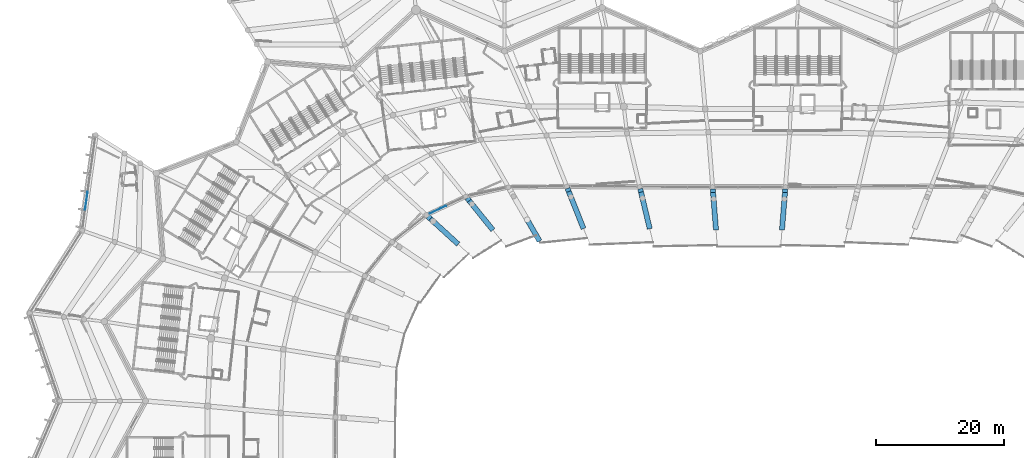
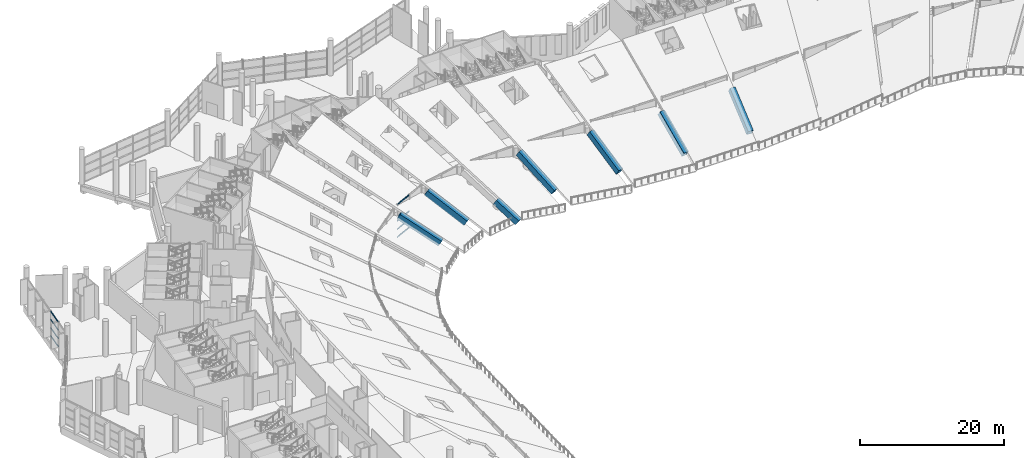
# One storey, part 62 of 249: 8 members, 7 beams, 2 elements without a shape of their own.
"""IFC4 building model written with IfcOpenShell, lengths in metres."""

from ifc_helpers import new_model, si_unit, direction, frame, origin, origin_2d, place, context, subcontext, project, spatial, rectangle, extrude, material, layer, layer_set, material_profile, profile_set, type_object, element, aggregate, save


model = new_model("IFC4")

# Units and contexts
model_context = context("Model", 3, precision=1e-05, world=origin(), true_north=direction((0.0, 1.0)))
body_context = subcontext(model_context, "Body", "Model", "MODEL_VIEW")
ifc_project = project(units=[si_unit("LENGTHUNIT", "METRE"), si_unit("AREAUNIT", "SQUARE_METRE"), si_unit("VOLUMEUNIT", "CUBIC_METRE"), si_unit("PLANEANGLEUNIT", "RADIAN"), si_unit("MASSUNIT", "GRAM", prefix="KILO")], contexts=[model_context])

# Site, building, storey
site_placement = place(None, origin())
site = spatial("IfcSite", under=ifc_project, at=site_placement, CompositionType="ELEMENT")
building_placement = place(site_placement, origin())
building = spatial("IfcBuilding", under=site, at=building_placement, Name="Meseta Stadium", CompositionType="ELEMENT")
storey_placement = place(building_placement, frame((0.0, 0.0, 12.0)))
storey = spatial("IfcBuildingStorey", under=building, at=storey_placement, Name="L02", CompositionType="ELEMENT", Elevation=12.0)

# Curtain wall, members
ifc_material_1 = material(Name="Aluminium", Category="aluminium")
ifc_layer_1 = layer(ifc_material_1, 0.199951171875)
ifc_layer_set_1 = layer_set([ifc_layer_1], Name="Suite glazing curtain wall")
curtain_wall_type_1 = type_object("IfcCurtainWallType", Name="Suite glazing curtain wall", PredefinedType="NOTDEFINED", material=ifc_layer_set_1)
curtain_wall_1_placement = place(storey_placement, origin())
curtain_wall_1 = element("IfcCurtainWall", 1, at=curtain_wall_1_placement, inside=storey, type_object=curtain_wall_type_1, Name="Suite glazing bay 23", PredefinedType="NOTDEFINED")
ifc_material_2 = material(Name="Aluminium", Category="aluminium")
ifc_material_profile_1 = material_profile(ifc_material_2, rectangle(XDim=0.06005859375, YDim=0.14990234375, at=origin_2d()), Name="CW 60x150")
ifc_profile_set_1 = profile_set([ifc_material_profile_1], Name="Aluminium")
member_type_1 = type_object("IfcMemberType", Name="CW transom 60x150", PredefinedType="USERDEFINED", material=ifc_profile_set_1)
member_1_placement = place(storey_placement, frame((-47.496826171875, 74.340087890625, 0.074951171875), z_axis=(-0.904318213738, -0.426858955982, 0.0), x_axis=(0.426858955982, -0.904318213738, 0.0)))
member_1 = element("IfcMember", 2, at=member_1_placement, type_object=member_type_1, Name="CWS transom 2.1", ObjectType="TRANSOM", PredefinedType="USERDEFINED", context=body_context, shape_type="SweptSolid", body=[
    extrude(rectangle(XDim=0.06005859375, YDim=0.14990234375, at=origin_2d()), origin(), (0.0, 0.0, 1.0), 2.822509765625),
])
member_2_placement = place(storey_placement, frame((-47.496826171875, 74.340087890625, 1.41259765625), z_axis=(-0.904318213738, -0.426858955982, 0.0), x_axis=(0.426858955982, -0.904318213738, 0.0)))
member_2 = element("IfcMember", 3, at=member_2_placement, type_object=member_type_1, Name="CWS transom 2.2", ObjectType="TRANSOM", PredefinedType="USERDEFINED", context=body_context, shape_type="SweptSolid", body=[
    extrude(rectangle(XDim=0.06005859375, YDim=0.14990234375, at=origin_2d()), origin(), (0.0, 0.0, 1.0), 2.822509765625),
])
member_3_placement = place(storey_placement, frame((-47.496826171875, 74.340087890625, 2.824951171875), z_axis=(-0.904318213738, -0.426858955982, 0.0), x_axis=(0.426858955982, -0.904318213738, 0.0)))
member_3 = element("IfcMember", 4, at=member_3_placement, type_object=member_type_1, Name="CWS transom 2.3", ObjectType="TRANSOM", PredefinedType="USERDEFINED", context=body_context, shape_type="SweptSolid", body=[
    extrude(rectangle(XDim=0.06005859375, YDim=0.14990234375, at=origin_2d()), origin(), (0.0, 0.0, 1.0), 2.822509765625),
])
member_4_placement = place(storey_placement, frame((-47.496826171875, 74.340087890625, 5.574951171875), z_axis=(-0.904318213738, -0.426858955982, 0.0), x_axis=(0.426858955982, -0.904318213738, 0.0)))
member_4 = element("IfcMember", 5, at=member_4_placement, type_object=member_type_1, Name="CWS transom 2.4", ObjectType="TRANSOM", PredefinedType="USERDEFINED", context=body_context, shape_type="SweptSolid", body=[
    extrude(rectangle(XDim=0.06005859375, YDim=0.14990234375, at=origin_2d()), origin(), (0.0, 0.0, 1.0), 2.822509765625),
])
aggregate(curtain_wall_1, [member_1, member_2, member_3, member_4])

# Beams
ifc_material_3 = material(Name="Concrete C40/50", Category="concrete")
ifc_material_profile_2 = material_profile(ifc_material_3, rectangle(XDim=0.800048828125, YDim=1.0, at=origin_2d()), Name="RC 800x1000")
ifc_profile_set_2 = profile_set([ifc_material_profile_2], Name="Concrete C40/50")
beam_type = type_object("IfcBeamType", Name="RC raker upper front 800x1000", PredefinedType="USERDEFINED", material=ifc_profile_set_2)
for number, where, z_axis, x_axis, name in (
    (6, (5.1923828125, 70.82421875, -0.13330078125), (0.067151942513, 0.846072330089, 0.528821547287), (-0.996865081746, 0.079120217364, 0.0), "Raker upper front frame 18 upper tier"),
    (7, (-5.1923828125, 70.82421875, -0.13330078125), (-0.067151942513, 0.846072330089, 0.528821547287), (-0.996865081746, -0.079120217364, 0.0), "Raker upper front frame 19 upper tier"),
):
    element("IfcBeam", number, at=place(storey_placement, frame(where, z_axis=z_axis, x_axis=x_axis)), inside=storey, type_object=beam_type, Name=name, ObjectType="RAKER", PredefinedType="USERDEFINED", context=body_context, shape_type="SweptSolid", body=[
        extrude(rectangle(XDim=0.800048828125, YDim=1.0, at=origin_2d()), origin(), (0.0, 0.0, 1.0), 6.951416015625),
    ])
beam_1_placement = place(storey_placement, frame((-15.62109375, 71.0087890625, 0.43505859375), z_axis=(-0.196594877841, 0.825607178127, 0.528888685294), x_axis=(-0.972800442507, -0.231644769116, 0.0)))
element("IfcBeam", 8, at=beam_1_placement, inside=storey, type_object=beam_type, Name="Raker upper front frame 20 upper tier", ObjectType="RAKER", PredefinedType="USERDEFINED", context=body_context, shape_type="SweptSolid", body=[
    extrude(rectangle(XDim=0.800048828125, YDim=1.0, at=origin_2d()), origin(), (0.0, 0.0, 1.0), 6.951904296875),
])
beam_2_placement = place(storey_placement, frame((-26.03759765625, 71.014404296875, 0.74462890625), z_axis=(-0.312985842876, 0.788744206684, 0.529076968486), x_axis=(-0.929493898805, -0.368837487363, 0.0)))
element("IfcBeam", 9, at=beam_2_placement, inside=storey, type_object=beam_type, Name="Raker upper front frame 21 upper tier", ObjectType="RAKER", PredefinedType="USERDEFINED", context=body_context, shape_type="SweptSolid", body=[
    extrude(rectangle(XDim=0.800048828125, YDim=1.0, at=origin_2d()), origin(), (0.0, 0.0, 1.0), 7.367431640625),
])
beam_3_placement = place(storey_placement, frame((-32.95751953125, 69.036865234375, -0.78564453125), z_axis=(-0.424691026962, 0.734670627064, 0.529052550647), x_axis=(-0.865755474215, -0.500467240553, 0.0)))
element("IfcBeam", 10, at=beam_3_placement, inside=storey, type_object=beam_type, Name="Raker upper front frame 22 upper tier", ObjectType="RAKER", PredefinedType="USERDEFINED", context=body_context, shape_type="SweptSolid", body=[
    extrude(rectangle(XDim=0.800048828125, YDim=1.0, at=origin_2d()), origin(), (0.0, 0.0, 1.0), 4.245849609375),
])
beam_4_placement = place(storey_placement, frame((-40.307861328125, 70.748291015625, 0.67724609375), z_axis=(-0.532988904175, 0.660432847856, 0.528915193107), x_axis=(-0.778193176557, -0.628024983548, 0.0)))
element("IfcBeam", 11, at=beam_4_placement, inside=storey, type_object=beam_type, Name="Raker upper front frame 23 upper tier", ObjectType="RAKER", PredefinedType="USERDEFINED", context=body_context, shape_type="SweptSolid", body=[
    extrude(rectangle(XDim=0.800048828125, YDim=1.0, at=origin_2d()), origin(), (0.0, 0.0, 1.0), 6.951904296875),
])
beam_5_placement = place(storey_placement, frame((-45.777099609375, 68.499755859375, 0.52880859375), z_axis=(-0.625958337263, 0.573037203223, 0.528965522254), x_axis=(-0.675239164707, -0.737598854694, 0.0)))
element("IfcBeam", 12, at=beam_5_placement, inside=storey, type_object=beam_type, Name="Raker upper front frame 24 upper tier", ObjectType="RAKER", PredefinedType="USERDEFINED", context=body_context, shape_type="SweptSolid", body=[
    extrude(rectangle(XDim=0.800048828125, YDim=1.0, at=origin_2d()), origin(), (0.0, 0.0, 1.0), 6.9521484375),
])

# Curtain wall, members
ifc_material_4 = material(Name="Aluminium", Category="aluminium")
ifc_layer_2 = layer(ifc_material_4, 0.199951171875)
ifc_layer_set_2 = layer_set([ifc_layer_2], Name="Ring shopfront curtain wall")
curtain_wall_type_2 = type_object("IfcCurtainWallType", Name="Ring shopfront curtain wall", PredefinedType="NOTDEFINED", material=ifc_layer_set_2)
curtain_wall_2_placement = place(storey_placement, origin())
curtain_wall_2 = element("IfcCurtainWall", 13, at=curtain_wall_2_placement, inside=storey, type_object=curtain_wall_type_2, Name="Ring glazing L02 F26", PredefinedType="NOTDEFINED")
ifc_material_5 = material(Name="Aluminium", Category="aluminium")
ifc_material_profile_3 = material_profile(ifc_material_5, rectangle(XDim=0.06005859375, YDim=0.14990234375, at=origin_2d()), Name="CW 60x150")
ifc_profile_set_3 = profile_set([ifc_material_profile_3], Name="Aluminium")
member_type_2 = type_object("IfcMemberType", Name="Ring CW transom 60x150", PredefinedType="USERDEFINED", material=ifc_profile_set_3)
member_5_placement = place(storey_placement, frame((-103.67529296875, 76.517333984375, 0.074951171875), z_axis=(-0.138593199503, -0.990349395442, 0.0), x_axis=(0.990349395442, -0.138593199503, 0.0)))
member_5 = element("IfcMember", 14, at=member_5_placement, type_object=member_type_2, Name="CWR1 transom 4.1", ObjectType="TRANSOM", PredefinedType="USERDEFINED", context=body_context, shape_type="SweptSolid", body=[
    extrude(rectangle(XDim=0.06005859375, YDim=0.14990234375, at=origin_2d()), origin(), (0.0, 0.0, 1.0), 2.804443359375),
])
member_6_placement = place(storey_placement, frame((-103.67529296875, 76.517333984375, 1.433349609375), z_axis=(-0.138593199503, -0.990349395442, 0.0), x_axis=(0.990349395442, -0.138593199503, 0.0)))
member_6 = element("IfcMember", 15, at=member_6_placement, type_object=member_type_2, Name="CWR1 transom 4.2", ObjectType="TRANSOM", PredefinedType="USERDEFINED", context=body_context, shape_type="SweptSolid", body=[
    extrude(rectangle(XDim=0.06005859375, YDim=0.14990234375, at=origin_2d()), origin(), (0.0, 0.0, 1.0), 2.804443359375),
])
member_7_placement = place(storey_placement, frame((-103.67529296875, 76.517333984375, 2.86669921875), z_axis=(-0.138593199503, -0.990349395442, 0.0), x_axis=(0.990349395442, -0.138593199503, 0.0)))
member_7 = element("IfcMember", 16, at=member_7_placement, type_object=member_type_2, Name="CWR1 transom 4.3", ObjectType="TRANSOM", PredefinedType="USERDEFINED", context=body_context, shape_type="SweptSolid", body=[
    extrude(rectangle(XDim=0.06005859375, YDim=0.14990234375, at=origin_2d()), origin(), (0.0, 0.0, 1.0), 2.804443359375),
])
member_8_placement = place(storey_placement, frame((-103.67529296875, 76.517333984375, 4.22509765625), z_axis=(-0.138593199503, -0.990349395442, 0.0), x_axis=(0.990349395442, -0.138593199503, 0.0)))
member_8 = element("IfcMember", 17, at=member_8_placement, type_object=member_type_2, Name="CWR1 transom 4.4", ObjectType="TRANSOM", PredefinedType="USERDEFINED", context=body_context, shape_type="SweptSolid", body=[
    extrude(rectangle(XDim=0.06005859375, YDim=0.14990234375, at=origin_2d()), origin(), (0.0, 0.0, 1.0), 2.804443359375),
])
aggregate(curtain_wall_2, [member_5, member_6, member_7, member_8])

save(model, "model.ifc")
